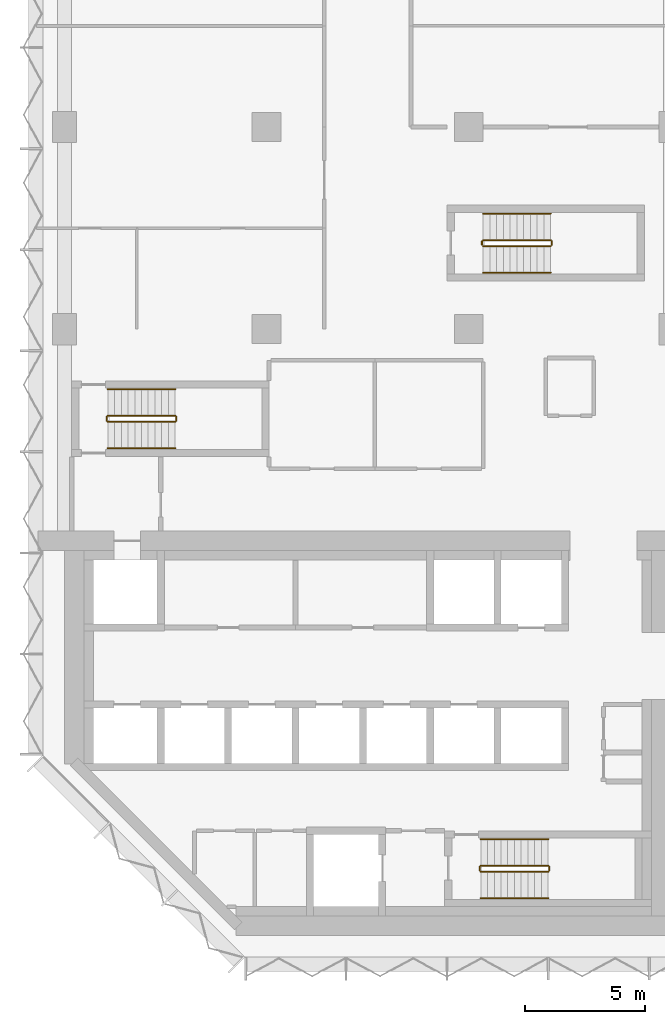
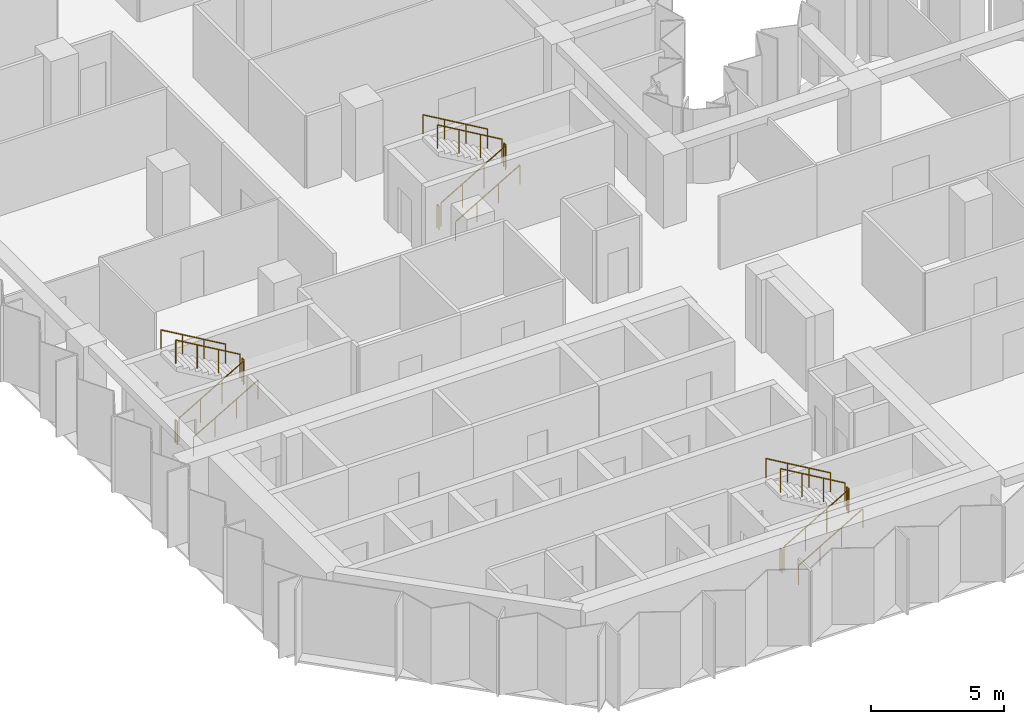
# One storey, part 12 of 13: 18 railings.
"""IFC4 building model written with IfcOpenShell, lengths in metres."""

import ifcopenshell
import ifcopenshell.guid

model = None  # the IFC model being written
_history = None  # IfcOwnerHistory: only IFC2X3 demands one
_inside = {}  # id of a spatial element -> (the spatial element, [elements in it])
_under = {}  # id of a project, library or spatial element -> (it, [spatial elements below it])
_declared = {}  # id of a project -> (the project, [libraries it declares])
_typed = {}  # id of a type object -> (the type object, [elements of that type])
_made_of = {}  # id of a material, layer set ... -> (it, [elements and type objects made of it])


def new_model(schema):
    """Start an empty IFC model of exactly this schema.

    Asked for "IFC4X3", IfcOpenShell would pick the latest addendum, in which some entities
    have other attributes; the version numbers below select the first issue.
    IFC2X3 requires an IfcOwnerHistory on every rooted entity: one is made here for all.
    """
    global model, _history
    if schema == "IFC4X3":
        model = ifcopenshell.file(schema_version=(4, 3, 0, 0))
    else:
        model = ifcopenshell.file(schema=schema)
    _inside.clear()
    _under.clear()
    _declared.clear()
    _typed.clear()
    _made_of.clear()
    _history = None
    if model.schema == "IFC2X3":
        org = make("IfcOrganization", Name="unknown")
        user = make(
            "IfcPersonAndOrganization",
            ThePerson=make("IfcPerson", FamilyName="unknown"),
            TheOrganization=org,
        )
        app = make(
            "IfcApplication",
            ApplicationDeveloper=org,
            Version="unknown",
            ApplicationFullName="unknown",
            ApplicationIdentifier="unknown",
        )
        _history = make(
            "IfcOwnerHistory",
            OwningUser=user,
            OwningApplication=app,
            ChangeAction="ADDED",
            CreationDate=0,
        )
    return model


def make(cls, **values):
    """One entity of the class cls with the attributes given. An attribute that is None is left unset."""
    return model.create_entity(
        cls, **{name: value for name, value in values.items() if value is not None}
    )


def rooted(cls, **values):
    """An entity with a GlobalId (a new one), such as an element, a storey or a relation."""
    return make(cls, GlobalId=ifcopenshell.guid.new(), OwnerHistory=_history, **values)


def si_unit(unit_type, name, prefix=None):
    """IfcSIUnit, for example si_unit("LENGTHUNIT", "METRE", prefix="MILLI")."""
    return make("IfcSIUnit", UnitType=unit_type, Prefix=prefix, Name=name)


def assignment(units):
    """IfcUnitAssignment: the units of a project."""
    return None if units is None else make("IfcUnitAssignment", Units=units)


def point(xyz):
    """IfcCartesianPoint."""
    return None if xyz is None else make("IfcCartesianPoint", Coordinates=xyz)


def direction(xyz):
    """IfcDirection."""
    return None if xyz is None else make("IfcDirection", DirectionRatios=xyz)


def frame(location, z_axis=None, x_axis=None):
    """IfcAxis2Placement3D, a coordinate frame: its origin and axes. An axis left out is left unset."""
    return make(
        "IfcAxis2Placement3D",
        Location=point(location),
        Axis=direction(z_axis),
        RefDirection=direction(x_axis),
    )


def frame_2d(location, x_axis=None):
    """IfcAxis2Placement2D, a coordinate frame in the plane: its origin and x axis."""
    return make(
        "IfcAxis2Placement2D", Location=point(location), RefDirection=direction(x_axis)
    )


def origin():
    """The frame at (0, 0, 0) with its axes left unset."""
    return frame((0.0, 0.0, 0.0))


def origin_2d():
    """The frame at (0, 0) in the plane with its x axis left unset."""
    return frame_2d((0.0, 0.0))


def place(relative_to, where):
    """IfcLocalPlacement: puts the frame where relative to a parent placement (None: the world)."""
    return make(
        "IfcLocalPlacement", PlacementRelTo=relative_to, RelativePlacement=where
    )


def context(
    kind, dimensions, precision=None, world=None, true_north=None, identifier=None
):
    """IfcGeometricRepresentationContext, for example the 3D "Model" context."""
    return make(
        "IfcGeometricRepresentationContext",
        ContextIdentifier=identifier,
        ContextType=kind,
        CoordinateSpaceDimension=dimensions,
        Precision=precision,
        WorldCoordinateSystem=world,
        TrueNorth=true_north,
    )


def subcontext(parent, identifier, kind, view, scale=None):
    """IfcGeometricRepresentationSubContext, for example "Body" below "Model"."""
    return make(
        "IfcGeometricRepresentationSubContext",
        ContextIdentifier=identifier,
        ContextType=kind,
        ParentContext=parent,
        TargetScale=scale,
        TargetView=view,
    )


def project(units=None, contexts=None):
    """IfcProject with its units and contexts."""
    return rooted(
        "IfcProject",
        Name="project",
        RepresentationContexts=contexts,
        UnitsInContext=assignment(units),
    )


def spatial(cls, under=None, at=None, **own):
    """A site, building, storey or space (cls), placed at a placement, below another one or the project."""
    s = rooted(cls, ObjectPlacement=at, **own)
    if under is not None:
        _under.setdefault(under.id(), (under, []))[1].append(s)
    return s


def profile(cls, at=None, kind="AREA", **sizes):
    """A parametric profile (cls). Its sizes go by their IFC names, for example OverallWidth=200.0."""
    return make(cls, ProfileType=kind, Position=at, **sizes)


def circle(**sizes):
    """IfcCircleProfileDef."""
    return profile("IfcCircleProfileDef", **sizes)


def extrude(swept, where, along, depth):
    """IfcExtrudedAreaSolid: the profile swept, set in the frame where, extruded along a direction by depth."""
    return make(
        "IfcExtrudedAreaSolid",
        SweptArea=swept,
        Position=where,
        ExtrudedDirection=direction(along),
        Depth=depth,
    )


def shape(context_of_items, identifier, shape_type, items):
    """IfcShapeRepresentation: the items that make up one representation, for example the "Body"."""
    return make(
        "IfcShapeRepresentation",
        ContextOfItems=context_of_items,
        RepresentationIdentifier=identifier,
        RepresentationType=shape_type,
        Items=items,
    )


def material(Name=None, Category=None):
    """IfcMaterial."""
    return make("IfcMaterial", Name=Name, Category=Category)


def made_of(thing, what):
    """Note that an element or type object is made of a material, layer set ...; save() writes the relation."""
    if what is not None:
        _made_of.setdefault(what.id(), (what, []))[1].append(thing)
    return thing


def type_object(cls, material=None, **own):
    """A type object (cls), such as IfcWallType, which elements share."""
    return made_of(rooted(cls, **own), material)


def element(
    cls,
    number,
    at=None,
    inside=None,
    cuts=None,
    type_object=None,
    material=None,
    context=None,
    identifier="Body",
    shape_type=None,
    held_by="IfcProductDefinitionShape",
    body=None,
    shapes=None,
    **own,
):
    """One element of the class cls, such as IfcWall. Its Tag is "e" and its number.

    at: its placement. inside: the storey or other place that contains it. cuts: it is an
    opening in that element (IfcRelVoidsElement). A single representation is given by context,
    identifier, shape_type and body (its items); several are given by shapes. held_by: the class
    of the entity that holds the representations. save() writes the other relations.
    """
    e = rooted(cls, Tag="e%d" % number, ObjectPlacement=at, **own)
    if body is not None:
        shapes = [shape(context, identifier, shape_type, body)]
    if shapes is not None:
        e.Representation = make(held_by, Representations=shapes)
    if inside is not None:
        _inside.setdefault(inside.id(), (inside, []))[1].append(e)
    if cuts is not None:
        rooted(
            "IfcRelVoidsElement", RelatingBuildingElement=cuts, RelatedOpeningElement=e
        )
    if type_object is not None:
        _typed.setdefault(type_object.id(), (type_object, []))[1].append(e)
    return made_of(e, material)


def aggregate(whole, parts):
    """IfcRelAggregates: a whole, such as a stair, and the parts it consists of."""
    return rooted("IfcRelAggregates", RelatingObject=whole, RelatedObjects=parts)


def save(model, path):
    """Write the relations noted so far, then the file.

    IfcRelAggregates (storeys below a building ...), IfcRelContainedInSpatialStructure (elements
    in a storey), IfcRelDefinesByType, IfcRelAssociatesMaterial and IfcRelDeclares: one each for
    every whole, place, type object, material and project.
    """
    for whole, parts in _under.values():
        aggregate(whole, parts)
    for where, things in _inside.values():
        rooted(
            "IfcRelContainedInSpatialStructure",
            RelatedElements=things,
            RelatingStructure=where,
        )
    for kind, things in _typed.values():
        rooted("IfcRelDefinesByType", RelatedObjects=things, RelatingType=kind)
    for what, things in _made_of.values():
        rooted("IfcRelAssociatesMaterial", RelatedObjects=things, RelatingMaterial=what)
    for by, libraries in _declared.values():
        rooted("IfcRelDeclares", RelatingContext=by, RelatedDefinitions=libraries)
    model.write(path)


model = new_model("IFC4")

# Units and contexts
model_context = context("Model", 3, precision=1e-05, world=origin(), true_north=direction((0.0, 1.0)))
body_context = subcontext(model_context, "Body", "Model", "MODEL_VIEW")
ifc_project = project(units=[si_unit("LENGTHUNIT", "METRE"), si_unit("AREAUNIT", "SQUARE_METRE"), si_unit("VOLUMEUNIT", "CUBIC_METRE"), si_unit("PLANEANGLEUNIT", "RADIAN"), si_unit("MASSUNIT", "GRAM", prefix="KILO")], contexts=[model_context])

# Site, building, storey
site_placement = place(None, origin())
site = spatial("IfcSite", under=ifc_project, at=site_placement, CompositionType="ELEMENT")
building_placement = place(site_placement, origin())
building = spatial("IfcBuilding", under=site, at=building_placement, Name="Brevane Broadcast Tower", CompositionType="ELEMENT")
storey_placement = place(building_placement, frame((0.0, 0.0, 95.300048828125)))
storey = spatial("IfcBuildingStorey", under=building, at=storey_placement, Name="L22", CompositionType="ELEMENT", Elevation=95.300048828125)

# Railings
ifc_material = material(Name="Steel S355", Category="steel")
railing_type_1 = type_object("IfcRailingType", Name="Exit stair guard", PredefinedType="GUARDRAIL", material=ifc_material)
railing_1_placement = place(storey_placement, frame((1.800048828125, 21.35009765625, 0.16357421875)))
element("IfcRailing", 1, at=railing_1_placement, inside=storey, type_object=railing_type_1, Name="L22 ST-1 stair guard 1", PredefinedType="GUARDRAIL", context=body_context, shape_type="SweptSolid", body=[
    extrude(circle(Radius=0.02392578125, at=origin_2d()), frame((0.0, 0.0, 1.076171875), z_axis=(0.863360870873, 0.0, 0.504586966384), x_axis=(0.0, 1.0, 0.0)), (0.0, 0.0, 1.0), 3.2431640625),
    extrude(circle(Radius=0.02099609375, at=origin_2d()), origin(), (0.0, 0.0, 1.0), 1.052001953125),
    extrude(circle(Radius=0.02099609375, at=origin_2d()), frame((0.933349609375, 0.0, 0.54541015625)), (0.0, 0.0, 1.0), 1.052001953125),
    extrude(circle(Radius=0.02099609375, at=origin_2d()), frame((1.86669921875, 0.0, 1.091064453125)), (0.0, 0.0, 1.0), 1.052001953125),
    extrude(circle(Radius=0.02099609375, at=origin_2d()), frame((2.800048828125, 0.0, 1.636474609375)), (0.0, 0.0, 1.0), 1.052001953125),
])
railing_2_placement = place(storey_placement, frame((4.64990234375, 21.39990234375, 1.800048828125)))
element("IfcRailing", 2, at=railing_2_placement, inside=storey, type_object=railing_type_1, Name="L22 ST-1 stair guard 2", PredefinedType="GUARDRAIL", context=body_context, shape_type="SweptSolid", body=[
    extrude(circle(Radius=0.02392578125, at=origin_2d()), frame((0.0, 0.0, 1.076171875), z_axis=(0.0, 1.0, 0.0), x_axis=(-1.0, 0.0, 0.0)), (0.0, 0.0, 1.0), 0.150146484375),
    extrude(circle(Radius=0.02099609375, at=origin_2d()), origin(), (0.0, 0.0, 1.0), 1.052001953125),
    extrude(circle(Radius=0.02099609375, at=origin_2d()), frame((0.0, 0.150146484375, 0.0)), (0.0, 0.0, 1.0), 1.052001953125),
])
railing_3_placement = place(storey_placement, frame((4.60009765625, 21.60009765625, 1.963623046875)))
element("IfcRailing", 3, at=railing_3_placement, inside=storey, type_object=railing_type_1, Name="L22 ST-1 stair guard 3", PredefinedType="GUARDRAIL", context=body_context, shape_type="SweptSolid", body=[
    extrude(circle(Radius=0.02392578125, at=origin_2d()), frame((0.0, 0.0, 1.076171875), z_axis=(-0.863393664356, 0.0, 0.504530851732), x_axis=(0.0, -1.0, 0.0)), (0.0, 0.0, 1.0), 3.2431640625),
    extrude(circle(Radius=0.02099609375, at=origin_2d()), origin(), (0.0, 0.0, 1.0), 1.052001953125),
    extrude(circle(Radius=0.02099609375, at=origin_2d()), frame((-0.933349609375, 0.0, 0.54541015625)), (0.0, 0.0, 1.0), 1.052001953125),
    extrude(circle(Radius=0.02099609375, at=origin_2d()), frame((-1.86669921875, 0.0, 1.0908203125)), (0.0, 0.0, 1.0), 1.052001953125),
    extrude(circle(Radius=0.02099609375, at=origin_2d()), frame((-2.800048828125, 0.0, 1.63623046875)), (0.0, 0.0, 1.0), 1.052001953125),
])
railing_4_placement = place(storey_placement, frame((1.75, 21.39990234375, 0.0)))
element("IfcRailing", 4, at=railing_4_placement, inside=storey, type_object=railing_type_1, Name="L22 ST-1 stair guard 4", PredefinedType="GUARDRAIL", context=body_context, shape_type="SweptSolid", body=[
    extrude(circle(Radius=0.02392578125, at=origin_2d()), frame((0.0, 0.0, 1.076171875), z_axis=(0.0, 1.0, 0.0), x_axis=(-1.0, 0.0, 0.0)), (0.0, 0.0, 1.0), 0.150146484375),
    extrude(circle(Radius=0.02099609375, at=origin_2d()), origin(), (0.0, 0.0, 1.0), 1.052001953125),
    extrude(circle(Radius=0.02099609375, at=origin_2d()), frame((0.0, 0.150146484375, 0.0)), (0.0, 0.0, 1.0), 1.052001953125),
])
railing_5_placement = place(storey_placement, frame((17.300048828125, 2.64990234375, 0.16357421875)))
element("IfcRailing", 5, at=railing_5_placement, inside=storey, type_object=railing_type_1, Name="L22 ST-2 stair guard 1", PredefinedType="GUARDRAIL", context=body_context, shape_type="SweptSolid", body=[
    extrude(circle(Radius=0.02392578125, at=origin_2d()), frame((0.0, 0.0, 1.076171875), z_axis=(0.863360870873, 0.0, 0.504586966384), x_axis=(0.0, 1.0, 0.0)), (0.0, 0.0, 1.0), 3.2431640625),
    extrude(circle(Radius=0.02099609375, at=origin_2d()), origin(), (0.0, 0.0, 1.0), 1.052001953125),
    extrude(circle(Radius=0.02099609375, at=origin_2d()), frame((0.933349609375, 0.0, 0.54541015625)), (0.0, 0.0, 1.0), 1.052001953125),
    extrude(circle(Radius=0.02099609375, at=origin_2d()), frame((1.86669921875, 0.0, 1.091064453125)), (0.0, 0.0, 1.0), 1.052001953125),
    extrude(circle(Radius=0.02099609375, at=origin_2d()), frame((2.800048828125, 0.0, 1.636474609375)), (0.0, 0.0, 1.0), 1.052001953125),
])
railing_6_placement = place(storey_placement, frame((20.14990234375, 2.699951171875, 1.800048828125)))
element("IfcRailing", 6, at=railing_6_placement, inside=storey, type_object=railing_type_1, Name="L22 ST-2 stair guard 2", PredefinedType="GUARDRAIL", context=body_context, shape_type="SweptSolid", body=[
    extrude(circle(Radius=0.02392578125, at=origin_2d()), frame((0.0, 0.0, 1.076171875), z_axis=(0.0, 1.0, 0.0), x_axis=(-1.0, 0.0, 0.0)), (0.0, 0.0, 1.0), 0.150146484375),
    extrude(circle(Radius=0.02099609375, at=origin_2d()), origin(), (0.0, 0.0, 1.0), 1.052001953125),
    extrude(circle(Radius=0.02099609375, at=origin_2d()), frame((0.0, 0.150146484375, 0.0)), (0.0, 0.0, 1.0), 1.052001953125),
])
railing_7_placement = place(storey_placement, frame((20.10009765625, 2.89990234375, 1.963623046875)))
element("IfcRailing", 7, at=railing_7_placement, inside=storey, type_object=railing_type_1, Name="L22 ST-2 stair guard 3", PredefinedType="GUARDRAIL", context=body_context, shape_type="SweptSolid", body=[
    extrude(circle(Radius=0.02392578125, at=origin_2d()), frame((0.0, 0.0, 1.076171875), z_axis=(-0.863393664356, 0.0, 0.504530851732), x_axis=(0.0, -1.0, 0.0)), (0.0, 0.0, 1.0), 3.2431640625),
    extrude(circle(Radius=0.02099609375, at=origin_2d()), origin(), (0.0, 0.0, 1.0), 1.052001953125),
    extrude(circle(Radius=0.02099609375, at=origin_2d()), frame((-0.933349609375, 0.0, 0.54541015625)), (0.0, 0.0, 1.0), 1.052001953125),
    extrude(circle(Radius=0.02099609375, at=origin_2d()), frame((-1.86669921875, 0.0, 1.0908203125)), (0.0, 0.0, 1.0), 1.052001953125),
    extrude(circle(Radius=0.02099609375, at=origin_2d()), frame((-2.800048828125, 0.0, 1.63623046875)), (0.0, 0.0, 1.0), 1.052001953125),
])
railing_8_placement = place(storey_placement, frame((17.25, 2.699951171875, 0.0)))
element("IfcRailing", 8, at=railing_8_placement, inside=storey, type_object=railing_type_1, Name="L22 ST-2 stair guard 4", PredefinedType="GUARDRAIL", context=body_context, shape_type="SweptSolid", body=[
    extrude(circle(Radius=0.02392578125, at=origin_2d()), frame((0.0, 0.0, 1.076171875), z_axis=(0.0, 1.0, 0.0), x_axis=(-1.0, 0.0, 0.0)), (0.0, 0.0, 1.0), 0.150146484375),
    extrude(circle(Radius=0.02099609375, at=origin_2d()), origin(), (0.0, 0.0, 1.0), 1.052001953125),
    extrude(circle(Radius=0.02099609375, at=origin_2d()), frame((0.0, 0.150146484375, 0.0)), (0.0, 0.0, 1.0), 1.052001953125),
])
railing_9_placement = place(storey_placement, frame((17.39990234375, 28.64990234375, 0.16357421875)))
element("IfcRailing", 9, at=railing_9_placement, inside=storey, type_object=railing_type_1, Name="L22 ST-3 stair guard 1", PredefinedType="GUARDRAIL", context=body_context, shape_type="SweptSolid", body=[
    extrude(circle(Radius=0.02392578125, at=origin_2d()), frame((0.0, 0.0, 1.076171875), z_axis=(0.863360870873, 0.0, 0.504586966384), x_axis=(0.0, 1.0, 0.0)), (0.0, 0.0, 1.0), 3.2431640625),
    extrude(circle(Radius=0.02099609375, at=origin_2d()), origin(), (0.0, 0.0, 1.0), 1.052001953125),
    extrude(circle(Radius=0.02099609375, at=origin_2d()), frame((0.933349609375, 0.0, 0.54541015625)), (0.0, 0.0, 1.0), 1.052001953125),
    extrude(circle(Radius=0.02099609375, at=origin_2d()), frame((1.86669921875, 0.0, 1.091064453125)), (0.0, 0.0, 1.0), 1.052001953125),
    extrude(circle(Radius=0.02099609375, at=origin_2d()), frame((2.800048828125, 0.0, 1.636474609375)), (0.0, 0.0, 1.0), 1.052001953125),
])
railing_10_placement = place(storey_placement, frame((20.25, 28.699951171875, 1.800048828125)))
element("IfcRailing", 10, at=railing_10_placement, inside=storey, type_object=railing_type_1, Name="L22 ST-3 stair guard 2", PredefinedType="GUARDRAIL", context=body_context, shape_type="SweptSolid", body=[
    extrude(circle(Radius=0.02392578125, at=origin_2d()), frame((0.0, 0.0, 1.076171875), z_axis=(0.0, 1.0, 0.0), x_axis=(-1.0, 0.0, 0.0)), (0.0, 0.0, 1.0), 0.150146484375),
    extrude(circle(Radius=0.02099609375, at=origin_2d()), origin(), (0.0, 0.0, 1.0), 1.052001953125),
    extrude(circle(Radius=0.02099609375, at=origin_2d()), frame((0.0, 0.150146484375, 0.0)), (0.0, 0.0, 1.0), 1.052001953125),
])
railing_11_placement = place(storey_placement, frame((20.199951171875, 28.89990234375, 1.963623046875)))
element("IfcRailing", 11, at=railing_11_placement, inside=storey, type_object=railing_type_1, Name="L22 ST-3 stair guard 3", PredefinedType="GUARDRAIL", context=body_context, shape_type="SweptSolid", body=[
    extrude(circle(Radius=0.02392578125, at=origin_2d()), frame((0.0, 0.0, 1.076171875), z_axis=(-0.863393664356, 0.0, 0.504530851732), x_axis=(0.0, -1.0, 0.0)), (0.0, 0.0, 1.0), 3.2431640625),
    extrude(circle(Radius=0.02099609375, at=origin_2d()), origin(), (0.0, 0.0, 1.0), 1.052001953125),
    extrude(circle(Radius=0.02099609375, at=origin_2d()), frame((-0.933349609375, 0.0, 0.54541015625)), (0.0, 0.0, 1.0), 1.052001953125),
    extrude(circle(Radius=0.02099609375, at=origin_2d()), frame((-1.86669921875, 0.0, 1.0908203125)), (0.0, 0.0, 1.0), 1.052001953125),
    extrude(circle(Radius=0.02099609375, at=origin_2d()), frame((-2.800048828125, 0.0, 1.63623046875)), (0.0, 0.0, 1.0), 1.052001953125),
])
railing_12_placement = place(storey_placement, frame((17.35009765625, 28.699951171875, 0.0)))
element("IfcRailing", 12, at=railing_12_placement, inside=storey, type_object=railing_type_1, Name="L22 ST-3 stair guard 4", PredefinedType="GUARDRAIL", context=body_context, shape_type="SweptSolid", body=[
    extrude(circle(Radius=0.02392578125, at=origin_2d()), frame((0.0, 0.0, 1.076171875), z_axis=(0.0, 1.0, 0.0), x_axis=(-1.0, 0.0, 0.0)), (0.0, 0.0, 1.0), 0.150146484375),
    extrude(circle(Radius=0.02099609375, at=origin_2d()), origin(), (0.0, 0.0, 1.0), 1.052001953125),
    extrude(circle(Radius=0.02099609375, at=origin_2d()), frame((0.0, 0.150146484375, 0.0)), (0.0, 0.0, 1.0), 1.052001953125),
])
railing_type_2 = type_object("IfcRailingType", Name="Exit stair handrail", PredefinedType="HANDRAIL", material=ifc_material)
railing_13_placement = place(storey_placement, frame((1.800048828125, 20.25, 0.16357421875)))
element("IfcRailing", 13, at=railing_13_placement, inside=storey, type_object=railing_type_2, Name="L22 ST-1 stair handrail 1", PredefinedType="HANDRAIL", context=body_context, shape_type="SweptSolid", body=[
    extrude(circle(Radius=0.02392578125, at=origin_2d()), frame((0.0, 0.0, 0.8759765625), z_axis=(0.863360870873, 0.0, 0.504586966384), x_axis=(0.0, 1.0, 0.0)), (0.0, 0.0, 1.0), 3.2431640625),
    extrude(circle(Radius=0.02099609375, at=origin_2d()), origin(), (0.0, 0.0, 1.0), 0.851806640625),
    extrude(circle(Radius=0.02099609375, at=origin_2d()), frame((0.933349609375, 0.0, 0.54541015625)), (0.0, 0.0, 1.0), 0.851806640625),
    extrude(circle(Radius=0.02099609375, at=origin_2d()), frame((1.86669921875, 0.0, 1.091064453125)), (0.0, 0.0, 1.0), 0.851806640625),
    extrude(circle(Radius=0.02099609375, at=origin_2d()), frame((2.800048828125, 0.0, 1.636474609375)), (0.0, 0.0, 1.0), 0.851806640625),
])
railing_14_placement = place(storey_placement, frame((4.60009765625, 22.699951171875, 1.963623046875)))
element("IfcRailing", 14, at=railing_14_placement, inside=storey, type_object=railing_type_2, Name="L22 ST-1 stair handrail 2", PredefinedType="HANDRAIL", context=body_context, shape_type="SweptSolid", body=[
    extrude(circle(Radius=0.02392578125, at=origin_2d()), frame((0.0, 0.0, 0.8759765625), z_axis=(-0.863393664356, 0.0, 0.504530851732), x_axis=(0.0, -1.0, 0.0)), (0.0, 0.0, 1.0), 3.2431640625),
    extrude(circle(Radius=0.02099609375, at=origin_2d()), origin(), (0.0, 0.0, 1.0), 0.851806640625),
    extrude(circle(Radius=0.02099609375, at=origin_2d()), frame((-0.933349609375, 0.0, 0.54541015625)), (0.0, 0.0, 1.0), 0.851806640625),
    extrude(circle(Radius=0.02099609375, at=origin_2d()), frame((-1.86669921875, 0.0, 1.0908203125)), (0.0, 0.0, 1.0), 0.851806640625),
    extrude(circle(Radius=0.02099609375, at=origin_2d()), frame((-2.800048828125, 0.0, 1.63623046875)), (0.0, 0.0, 1.0), 0.851806640625),
])
railing_15_placement = place(storey_placement, frame((17.300048828125, 1.550048828125, 0.16357421875)))
element("IfcRailing", 15, at=railing_15_placement, inside=storey, type_object=railing_type_2, Name="L22 ST-2 stair handrail 1", PredefinedType="HANDRAIL", context=body_context, shape_type="SweptSolid", body=[
    extrude(circle(Radius=0.02392578125, at=origin_2d()), frame((0.0, 0.0, 0.8759765625), z_axis=(0.863360870873, 0.0, 0.504586966384), x_axis=(0.0, 1.0, 0.0)), (0.0, 0.0, 1.0), 3.2431640625),
    extrude(circle(Radius=0.02099609375, at=origin_2d()), origin(), (0.0, 0.0, 1.0), 0.851806640625),
    extrude(circle(Radius=0.02099609375, at=origin_2d()), frame((0.933349609375, 0.0, 0.54541015625)), (0.0, 0.0, 1.0), 0.851806640625),
    extrude(circle(Radius=0.02099609375, at=origin_2d()), frame((1.86669921875, 0.0, 1.091064453125)), (0.0, 0.0, 1.0), 0.851806640625),
    extrude(circle(Radius=0.02099609375, at=origin_2d()), frame((2.800048828125, 0.0, 1.636474609375)), (0.0, 0.0, 1.0), 0.851806640625),
])
railing_16_placement = place(storey_placement, frame((20.10009765625, 4.0, 1.963623046875)))
element("IfcRailing", 16, at=railing_16_placement, inside=storey, type_object=railing_type_2, Name="L22 ST-2 stair handrail 2", PredefinedType="HANDRAIL", context=body_context, shape_type="SweptSolid", body=[
    extrude(circle(Radius=0.02392578125, at=origin_2d()), frame((0.0, 0.0, 0.8759765625), z_axis=(-0.863393664356, 0.0, 0.504530851732), x_axis=(0.0, -1.0, 0.0)), (0.0, 0.0, 1.0), 3.2431640625),
    extrude(circle(Radius=0.02099609375, at=origin_2d()), origin(), (0.0, 0.0, 1.0), 0.851806640625),
    extrude(circle(Radius=0.02099609375, at=origin_2d()), frame((-0.933349609375, 0.0, 0.54541015625)), (0.0, 0.0, 1.0), 0.851806640625),
    extrude(circle(Radius=0.02099609375, at=origin_2d()), frame((-1.86669921875, 0.0, 1.0908203125)), (0.0, 0.0, 1.0), 0.851806640625),
    extrude(circle(Radius=0.02099609375, at=origin_2d()), frame((-2.800048828125, 0.0, 1.63623046875)), (0.0, 0.0, 1.0), 0.851806640625),
])
railing_17_placement = place(storey_placement, frame((17.39990234375, 27.550048828125, 0.16357421875)))
element("IfcRailing", 17, at=railing_17_placement, inside=storey, type_object=railing_type_2, Name="L22 ST-3 stair handrail 1", PredefinedType="HANDRAIL", context=body_context, shape_type="SweptSolid", body=[
    extrude(circle(Radius=0.02392578125, at=origin_2d()), frame((0.0, 0.0, 0.8759765625), z_axis=(0.863360870873, 0.0, 0.504586966384), x_axis=(0.0, 1.0, 0.0)), (0.0, 0.0, 1.0), 3.2431640625),
    extrude(circle(Radius=0.02099609375, at=origin_2d()), origin(), (0.0, 0.0, 1.0), 0.851806640625),
    extrude(circle(Radius=0.02099609375, at=origin_2d()), frame((0.933349609375, 0.0, 0.54541015625)), (0.0, 0.0, 1.0), 0.851806640625),
    extrude(circle(Radius=0.02099609375, at=origin_2d()), frame((1.86669921875, 0.0, 1.091064453125)), (0.0, 0.0, 1.0), 0.851806640625),
    extrude(circle(Radius=0.02099609375, at=origin_2d()), frame((2.800048828125, 0.0, 1.636474609375)), (0.0, 0.0, 1.0), 0.851806640625),
])
railing_18_placement = place(storey_placement, frame((20.199951171875, 30.0, 1.963623046875)))
element("IfcRailing", 18, at=railing_18_placement, inside=storey, type_object=railing_type_2, Name="L22 ST-3 stair handrail 2", PredefinedType="HANDRAIL", context=body_context, shape_type="SweptSolid", body=[
    extrude(circle(Radius=0.02392578125, at=origin_2d()), frame((0.0, 0.0, 0.8759765625), z_axis=(-0.863393664356, 0.0, 0.504530851732), x_axis=(0.0, -1.0, 0.0)), (0.0, 0.0, 1.0), 3.2431640625),
    extrude(circle(Radius=0.02099609375, at=origin_2d()), origin(), (0.0, 0.0, 1.0), 0.851806640625),
    extrude(circle(Radius=0.02099609375, at=origin_2d()), frame((-0.933349609375, 0.0, 0.54541015625)), (0.0, 0.0, 1.0), 0.851806640625),
    extrude(circle(Radius=0.02099609375, at=origin_2d()), frame((-1.86669921875, 0.0, 1.0908203125)), (0.0, 0.0, 1.0), 0.851806640625),
    extrude(circle(Radius=0.02099609375, at=origin_2d()), frame((-2.800048828125, 0.0, 1.63623046875)), (0.0, 0.0, 1.0), 0.851806640625),
])

save(model, "model.ifc")
